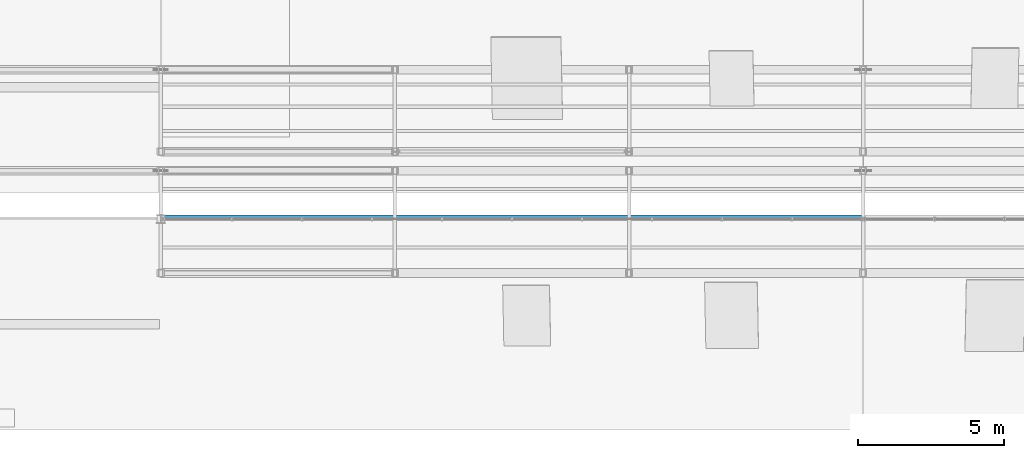
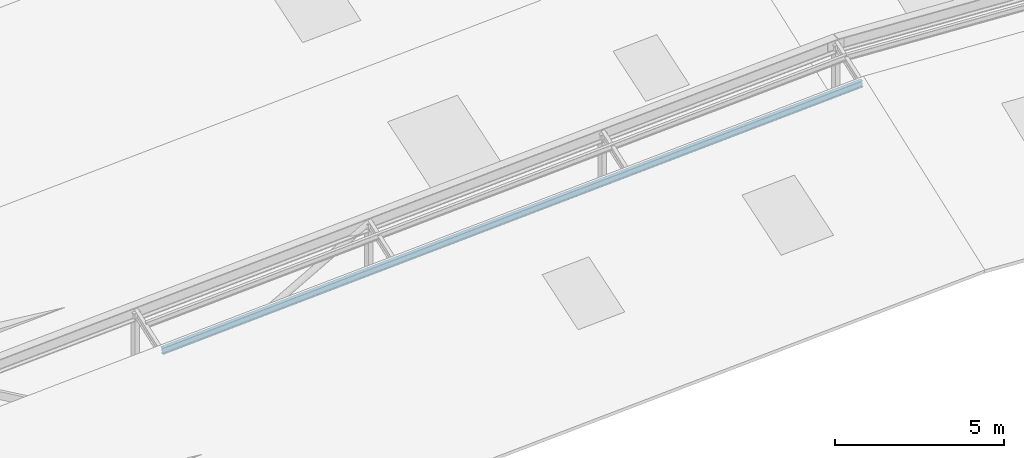
# One storey, part 7 of 141: 1 member.
"""IFC4 building model written with IfcOpenShell, lengths in metres."""

from ifc_helpers import new_model, si_unit, direction, frame, origin, origin_2d, place, context, subcontext, project, spatial, i_section, extrude, material, material_profile, profile_set, type_object, element, save


model = new_model("IFC4")

# Units and contexts
model_context = context("Model", 3, precision=1e-05, world=origin(), true_north=direction((0.0, 1.0)))
body_context = subcontext(model_context, "Body", "Model", "MODEL_VIEW")
ifc_project = project(units=[si_unit("LENGTHUNIT", "METRE"), si_unit("AREAUNIT", "SQUARE_METRE"), si_unit("VOLUMEUNIT", "CUBIC_METRE"), si_unit("PLANEANGLEUNIT", "RADIAN"), si_unit("MASSUNIT", "GRAM", prefix="KILO")], contexts=[model_context])

# Site, building, storey
site_placement = place(None, origin())
site = spatial("IfcSite", under=ifc_project, at=site_placement, CompositionType="ELEMENT")
building_placement = place(site_placement, origin())
building = spatial("IfcBuilding", under=site, at=building_placement, Name="Sundkrona Museum", CompositionType="ELEMENT")
storey_placement = place(building_placement, frame((0.0, 0.0, 34.0)))
storey = spatial("IfcBuildingStorey", under=building, at=storey_placement, Name="RF", CompositionType="ELEMENT", Elevation=34.0)

# Member
ifc_material = material(Name="Steel S355J2", Category="steel")
ifc_material_profile = material_profile(ifc_material, i_section(OverallWidth=0.1201171875, OverallDepth=0.239990234375, WebThickness=0.006103515625, FlangeThickness=0.009765625, FilletRadius=0.014892578125, at=origin_2d()), Name="IPE 240")
ifc_profile_set = profile_set([ifc_material_profile], Name="Steel S355J2")
member_type = type_object("IfcMemberType", Name="PR-IPE240", PredefinedType="PURLIN", material=ifc_profile_set)
member_placement = place(storey_placement, frame((120.0, 2.27490234375, 3.3642578125), z_axis=(0.998539934522, 0.0, 0.054018507607), x_axis=(0.0, 1.0, 0.0)))
element("IfcMember", 1, at=member_placement, inside=storey, type_object=member_type, Name="RFS-1 Sawtooth Blade 1W Roof Purlin 2", PredefinedType="PURLIN", context=body_context, shape_type="SweptSolid", body=[
    extrude(i_section(OverallWidth=0.1201171875, OverallDepth=0.239990234375, WebThickness=0.006103515625, FlangeThickness=0.009765625, FilletRadius=0.014892578125, at=origin_2d()), origin(), (0.0, 0.0, 1.0), 24.03515625),
])

save(model, "model.ifc")
